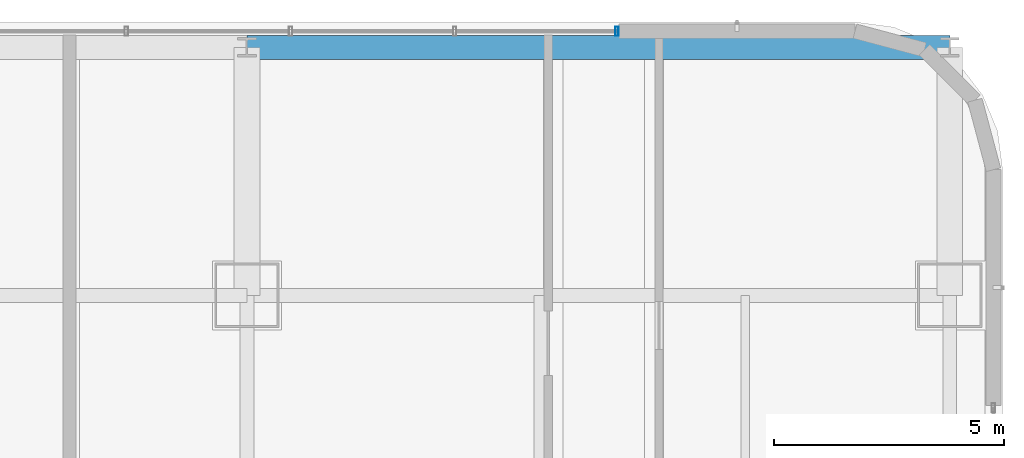
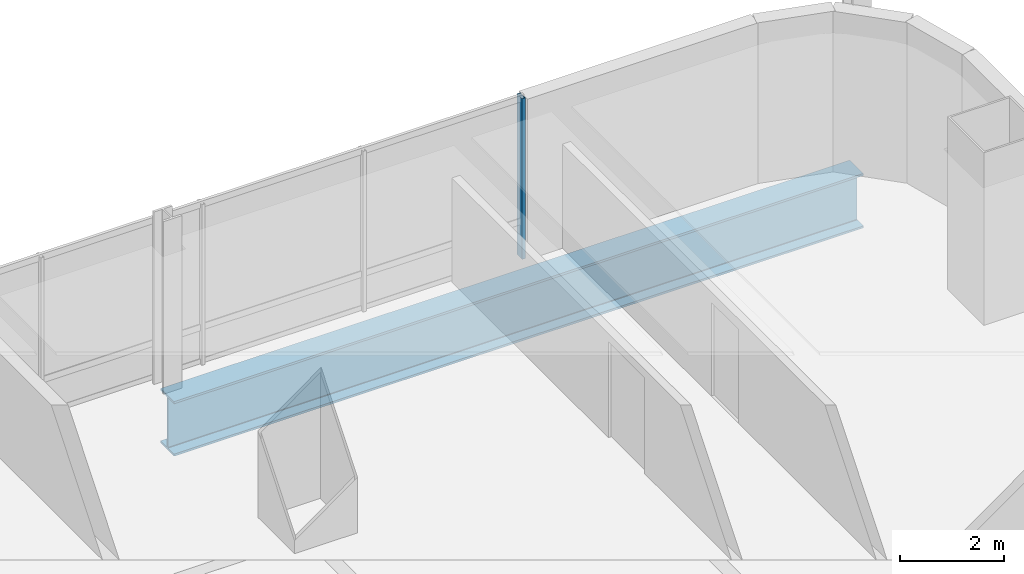
# One storey, part 28 of 47: 1 beam, 1 member, 1 element without a shape of its own.
"""IFC4 building model written with IfcOpenShell, lengths in metres."""

from ifc_helpers import new_model, si_unit, direction, frame, origin, origin_2d, place, context, subcontext, project, spatial, hollow_rectangle, i_section, extrude, material, material_profile, profile_set, type_object, element, aggregate, save


model = new_model("IFC4")

# Units and contexts
model_context = context("Model", 3, precision=1e-05, world=origin(), true_north=direction((0.0, 1.0)))
body_context = subcontext(model_context, "Body", "Model", "MODEL_VIEW")
ifc_project = project(units=[si_unit("LENGTHUNIT", "METRE"), si_unit("AREAUNIT", "SQUARE_METRE"), si_unit("VOLUMEUNIT", "CUBIC_METRE"), si_unit("PLANEANGLEUNIT", "RADIAN"), si_unit("MASSUNIT", "GRAM", prefix="KILO")], contexts=[model_context])

# Site, building, storey
site_placement = place(None, origin())
site = spatial("IfcSite", under=ifc_project, at=site_placement, CompositionType="ELEMENT")
building_placement = place(site_placement, origin())
building = spatial("IfcBuilding", under=site, at=building_placement, Name="Punatoya Terracotta Tower", CompositionType="ELEMENT")
storey_placement = place(building_placement, frame((0.0, 0.0, 168.14990234375)))
storey = spatial("IfcBuildingStorey", under=building, at=storey_placement, Name="L39", CompositionType="ELEMENT", Elevation=168.14990234375)

# Beam
ifc_material_1 = material(Name="Steel S460", Category="steel")
ifc_material_profile_1 = material_profile(ifc_material_1, i_section(OverallWidth=0.52001953125, OverallDepth=1.280029296875, WebThickness=0.031982421875, FlangeThickness=0.050048828125, FilletRadius=0.01806640625, at=origin_2d()))
ifc_profile_set_1 = profile_set([ifc_material_profile_1], Name="Steel S460")
beam_type = type_object("IfcBeamType", Name="BM-TG-NCK", PredefinedType="BEAM", material=ifc_profile_set_1)
beam_placement = place(storey_placement, frame((3.800048828125, 22.89990234375, -0.85986328125), z_axis=(1.0, 0.0, 0.0), x_axis=(0.0, 1.0, 0.0)))
element("IfcBeam", 1, at=beam_placement, inside=storey, type_object=beam_type, Name="BM-L39-PER-N3", PredefinedType="BEAM", context=body_context, shape_type="SweptSolid", body=[
    extrude(i_section(OverallWidth=0.52001953125, OverallDepth=1.280029296875, WebThickness=0.031982421875, FlangeThickness=0.050048828125, FilletRadius=0.01806640625, at=origin_2d()), origin(), (0.0, 0.0, 1.0), 15.300048828125),
])

# Curtain wall, member
ifc_material_2 = material(Name="Aluminium 6063-T6 + Double Low-E Glass", Category="aluminium")
curtain_wall_type = type_object("IfcCurtainWallType", Name="CW-M2", PredefinedType="NOTDEFINED", material=ifc_material_2)
curtain_wall_placement = place(storey_placement, origin())
curtain_wall = element("IfcCurtainWall", 2, at=curtain_wall_placement, inside=storey, type_object=curtain_wall_type, Name="L39 Curtain Wall CW-L39-N09-1", PredefinedType="NOTDEFINED")
ifc_material_3 = material(Name="Aluminium 6063-T6", Category="aluminium")
ifc_material_profile_2 = material_profile(ifc_material_3, hollow_rectangle(XDim=0.072021484375, YDim=0.195068359375, WallThickness=0.00439453125, at=origin_2d()))
ifc_profile_set_2 = profile_set([ifc_material_profile_2], Name="Aluminium 6063-T6")
member_type = type_object("IfcMemberType", Name="CW-MUL-M2", PredefinedType="MULLION", material=ifc_profile_set_2)
member_placement = place(storey_placement, frame((11.85498046875, 23.25, 0.0), z_axis=(0.0, 0.0, 1.0), x_axis=(1.0, 0.0, 0.0)))
member = element("IfcMember", 3, at=member_placement, type_object=member_type, Name="CW-L39-N09-1 Mullion 00", PredefinedType="MULLION", context=body_context, shape_type="SweptSolid", body=[
    extrude(hollow_rectangle(XDim=0.072021484375, YDim=0.195068359375, WallThickness=0.00439453125, at=origin_2d()), origin(), (0.0, 0.0, 1.0), 3.77001953125),
])
aggregate(curtain_wall, [member])

save(model, "model.ifc")
